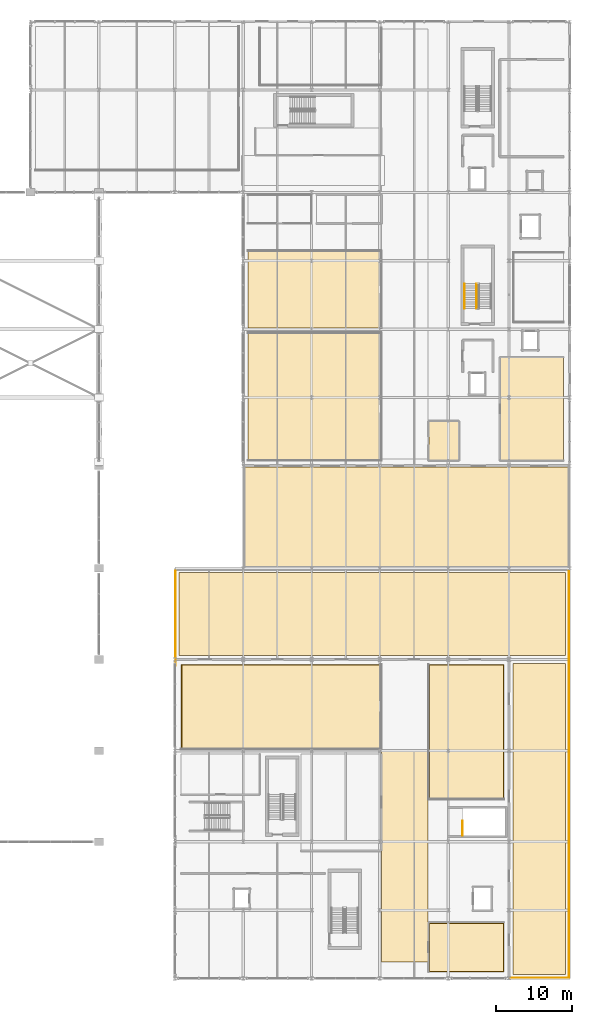
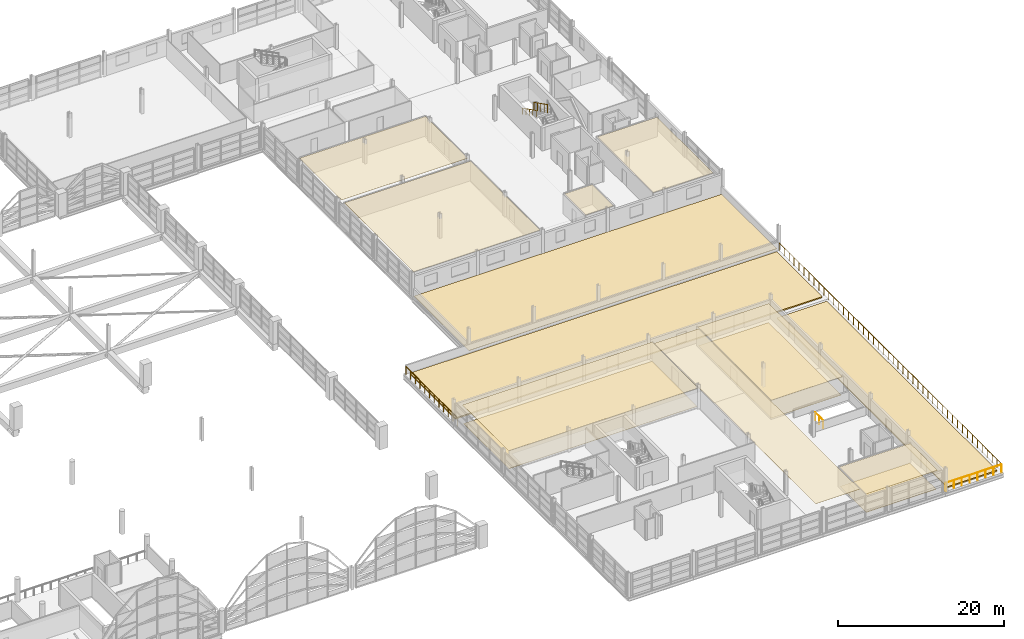
# One storey, part 111 of 116: 14 coverings, 6 railings.
"""IFC4 building model written with IfcOpenShell, lengths in metres."""

from ifc_helpers import new_model, si_unit, direction, frame, origin, origin_2d, place, context, subcontext, project, spatial, polyline, circle, outline, extrude, material, layer, layer_set, type_object, element, save


model = new_model("IFC4")

# Units and contexts
model_context = context("Model", 3, precision=1e-05, world=origin(), true_north=direction((0.0, 1.0)))
body_context = subcontext(model_context, "Body", "Model", "MODEL_VIEW")
ifc_project = project(units=[si_unit("LENGTHUNIT", "METRE"), si_unit("AREAUNIT", "SQUARE_METRE"), si_unit("VOLUMEUNIT", "CUBIC_METRE"), si_unit("PLANEANGLEUNIT", "RADIAN"), si_unit("MASSUNIT", "GRAM", prefix="KILO")], contexts=[model_context])

# Site, building, storey
site_placement = place(None, origin())
site = spatial("IfcSite", under=ifc_project, at=site_placement, CompositionType="ELEMENT")
building_placement = place(site_placement, origin())
building = spatial("IfcBuilding", under=site, at=building_placement, Name="Chuanluo Vaults Station", CompositionType="ELEMENT")
storey_placement = place(building_placement, frame((0.0, 0.0, 10.800048828125)))
storey = spatial("IfcBuildingStorey", under=building, at=storey_placement, Name="L02", CompositionType="ELEMENT", Elevation=10.800048828125)

# Coverings
ifc_material_1 = material(Name="Acoustic mineral-fibre tile")
ifc_layer_1 = layer(ifc_material_1, 0.02490234375)
ifc_layer_set_1 = layer_set([ifc_layer_1], Name="Acoustic mineral-fibre tile")
covering_type_1 = type_object("IfcCoveringType", Name="COV-CEIL-TILE", PredefinedType="CEILING", material=ifc_layer_set_1)
covering_1_placement = place(storey_placement, frame((0.0, 0.0, 2.71484375)))
element("IfcCovering", 1, at=covering_1_placement, inside=storey, type_object=covering_type_1, Name="L02-04A suspended acoustic ceiling", PredefinedType="CEILING", context=body_context, shape_type="SweptSolid", body=[
    extrude(outline(polyline([(163.239990234375, 2.199951171875), (169.360107421875, 2.199951171875), (169.360107421875, 41.0), (163.239990234375, 41.0), (163.239990234375, 2.199951171875)])), origin(), (0.0, 0.0, 1.0), 0.025146484375),
])
covering_2_placement = place(storey_placement, frame((0.0, 0.0, 2.71484375)))
element("IfcCovering", 2, at=covering_2_placement, inside=storey, type_object=covering_type_1, Name="L02-05 suspended acoustic ceiling", PredefinedType="CEILING", context=body_context, shape_type="SweptSolid", body=[
    extrude(outline(polyline([(136.840087890625, 30.239990234375), (163.159912109375, 30.239990234375), (163.159912109375, 41.360107421875), (136.840087890625, 41.360107421875), (136.840087890625, 30.239990234375)])), origin(), (0.0, 0.0, 1.0), 0.025146484375),
])
covering_3_placement = place(storey_placement, frame((0.0, 0.0, 2.71484375)))
element("IfcCovering", 3, at=covering_3_placement, inside=storey, type_object=covering_type_1, Name="L02-06 suspended acoustic ceiling", PredefinedType="CEILING", context=body_context, shape_type="SweptSolid", body=[
    extrude(outline(polyline([(169.43994140625, 23.639892578125), (179.360107421875, 23.639892578125), (179.360107421875, 41.360107421875), (169.43994140625, 41.360107421875), (169.43994140625, 23.639892578125)])), origin(), (0.0, 0.0, 1.0), 0.025146484375),
])
covering_4_placement = place(storey_placement, frame((0.0, 0.0, 2.804931640625)))
element("IfcCovering", 4, at=covering_4_placement, inside=storey, type_object=covering_type_1, Name="L02-09 suspended acoustic ceiling", PredefinedType="CEILING", context=body_context, shape_type="SweptSolid", body=[
    extrude(outline(polyline([(169.43994140625, 0.840087890625), (179.360107421875, 0.840087890625), (179.360107421875, 7.360107421875), (169.43994140625, 7.360107421875), (169.43994140625, 0.840087890625)])), origin(), (0.0, 0.0, 1.0), 0.02490234375),
])
covering_5_placement = place(storey_placement, frame((0.0, 0.0, 2.8349609375)))
element("IfcCovering", 5, at=covering_5_placement, inside=storey, type_object=covering_type_1, Name="L02-11 suspended acoustic ceiling", PredefinedType="CEILING", context=body_context, shape_type="SweptSolid", body=[
    extrude(outline(polyline([(145.639892578125, 68.239990234375), (163.159912109375, 68.239990234375), (163.159912109375, 84.9599609375), (145.639892578125, 84.9599609375), (145.639892578125, 68.239990234375)])), origin(), (0.0, 0.0, 1.0), 0.02490234375),
])
covering_6_placement = place(storey_placement, frame((0.0, 0.0, 2.8349609375)))
element("IfcCovering", 6, at=covering_6_placement, inside=storey, type_object=covering_type_1, Name="L02-12 suspended acoustic ceiling", PredefinedType="CEILING", context=body_context, shape_type="SweptSolid", body=[
    extrude(outline(polyline([(145.639892578125, 85.639892578125), (163.159912109375, 85.639892578125), (163.159912109375, 95.760009765625), (145.639892578125, 95.760009765625), (145.639892578125, 85.639892578125)])), origin(), (0.0, 0.0, 1.0), 0.02490234375),
])
covering_7_placement = place(storey_placement, frame((0.0, 0.0, 2.8349609375)))
element("IfcCovering", 7, at=covering_7_placement, inside=storey, type_object=covering_type_1, Name="L02-15 suspended acoustic ceiling", PredefinedType="CEILING", context=body_context, shape_type="SweptSolid", body=[
    extrude(outline(polyline([(169.43994140625, 68.239990234375), (173.360107421875, 68.239990234375), (173.360107421875, 73.360107421875), (169.43994140625, 73.360107421875), (169.43994140625, 68.239990234375)])), origin(), (0.0, 0.0, 1.0), 0.02490234375),
])
covering_8_placement = place(storey_placement, frame((0.0, 0.0, 2.81494140625)))
element("IfcCovering", 8, at=covering_8_placement, inside=storey, type_object=covering_type_1, Name="L02-23 suspended acoustic ceiling", PredefinedType="CEILING", context=body_context, shape_type="SweptSolid", body=[
    extrude(outline(polyline([(178.840087890625, 68.239990234375), (187.159912109375, 68.239990234375), (187.159912109375, 81.760009765625), (178.840087890625, 81.760009765625), (178.840087890625, 68.239990234375)])), origin(), (0.0, 0.0, 1.0), 0.02490234375),
])
ifc_material_2 = material(Name="Granite stone flooring", Category="masonry")
ifc_layer_2 = layer(ifc_material_2, 0.034912109375)
ifc_layer_set_2 = layer_set([ifc_layer_2], Name="Granite stone flooring")
covering_type_2 = type_object("IfcCoveringType", Name="COV-FLOR-GRAN", PredefinedType="FLOORING", material=ifc_layer_set_2)
covering_9_placement = place(storey_placement, origin())
element("IfcCovering", 9, at=covering_9_placement, inside=storey, type_object=covering_type_2, Name="L02-05 granite floor finish", PredefinedType="FLOORING", context=body_context, shape_type="SweptSolid", body=[
    extrude(outline(polyline([(136.949951171875, 30.35009765625), (163.050048828125, 30.35009765625), (163.050048828125, 41.25), (136.949951171875, 41.25), (136.949951171875, 30.35009765625)])), origin(), (0.0, 0.0, 1.0), 0.034912109375),
])
covering_10_placement = place(storey_placement, origin())
element("IfcCovering", 10, at=covering_10_placement, inside=storey, type_object=covering_type_2, Name="L02-06 granite floor finish", PredefinedType="FLOORING", context=body_context, shape_type="SweptSolid", body=[
    extrude(outline(polyline([(169.550048828125, 23.75), (179.25, 23.75), (179.25, 41.25), (169.550048828125, 41.25), (169.550048828125, 23.75)])), origin(), (0.0, 0.0, 1.0), 0.034912109375),
])
covering_11_placement = place(storey_placement, origin())
element("IfcCovering", 11, at=covering_11_placement, inside=storey, type_object=covering_type_2, Name="L02-09 granite floor finish", PredefinedType="FLOORING", context=body_context, shape_type="SweptSolid", body=[
    extrude(outline(polyline([(169.550048828125, 0.949951171875), (179.25, 0.949951171875), (179.25, 7.25), (169.550048828125, 7.25), (169.550048828125, 0.949951171875)])), origin(), (0.0, 0.0, 1.0), 0.034912109375),
])
ifc_material_3 = material(Name="Planted roof garden substrate")
ifc_layer_3 = layer(ifc_material_3, 0.179931640625)
ifc_layer_set_3 = layer_set([ifc_layer_3], Name="Planted roof garden substrate")
covering_type_3 = type_object("IfcCoveringType", Name="COV-ROOF-GRN", PredefinedType="ROOFING", material=ifc_layer_set_3)
covering_12_placement = place(storey_placement, origin())
element("IfcCovering", 12, at=covering_12_placement, inside=storey, type_object=covering_type_3, Name="Planted roof garden substrate TER:L02:N", PredefinedType="ROOFING", context=body_context, shape_type="SweptSolid", body=[
    extrude(outline(polyline([(136.550048828125, 42.550048828125), (187.449951171875, 42.550048828125), (187.449951171875, 53.449951171875), (136.550048828125, 53.449951171875), (136.550048828125, 42.550048828125)])), origin(), (0.0, 0.0, 1.0), 0.179931640625),
])
covering_13_placement = place(storey_placement, origin())
element("IfcCovering", 13, at=covering_13_placement, inside=storey, type_object=covering_type_3, Name="Planted roof garden substrate TER:L02:E", PredefinedType="ROOFING", context=body_context, shape_type="SweptSolid", body=[
    extrude(outline(polyline([(180.550048828125, 0.550048828125), (187.449951171875, 0.550048828125), (187.449951171875, 41.449951171875), (180.550048828125, 41.449951171875), (180.550048828125, 0.550048828125)])), origin(), (0.0, 0.0, 1.0), 0.179931640625),
])
ifc_material_4 = material(Name="TPO waterproof roofing membrane")
ifc_layer_4 = layer(ifc_material_4, 0.044921875)
ifc_layer_set_4 = layer_set([ifc_layer_4], Name="TPO waterproof roofing membrane")
covering_type_4 = type_object("IfcCoveringType", Name="COV-ROOF-TPO", PredefinedType="ROOFING", material=ifc_layer_set_4)
covering_14_placement = place(storey_placement, origin())
element("IfcCovering", 14, at=covering_14_placement, inside=storey, type_object=covering_type_4, Name="Waterproof TPO roof membrane ROOF:L02:OPSS", PredefinedType="ROOFING", context=body_context, shape_type="SweptSolid", body=[
    extrude(outline(polyline([(145.14990234375, 54.14990234375), (187.85009765625, 54.14990234375), (187.85009765625, 67.35009765625), (145.14990234375, 67.35009765625), (145.14990234375, 54.14990234375)])), origin(), (0.0, 0.0, 1.0), 0.044921875),
])

# Railings
ifc_material_5 = material(Name="Tempered laminated balustrade glass", Category="glass")
railing_type_1 = type_object("IfcRailingType", Name="RLG-GUARD-1200", PredefinedType="BALUSTRADE", material=ifc_material_5)
railing_1_placement = place(storey_placement, frame((136.10009765625, 41.199951171875, 0.0)))
element("IfcRailing", 15, at=railing_1_placement, inside=storey, type_object=railing_type_1, Name="Planted terrace perimeter balustrade TER-RET-L02", PredefinedType="BALUSTRADE", context=body_context, shape_type="SweptSolid", body=[
    extrude(circle(Radius=0.02392578125, at=origin_2d()), frame((0.0, 0.0, 1.17578125), z_axis=(0.0, 1.0, 0.0), x_axis=(-1.0, 0.0, 0.0)), (0.0, 0.0, 1.0), 12.449951171875),
    extrude(circle(Radius=0.02099609375, at=origin_2d()), origin(), (0.0, 0.0, 1.0), 1.15185546875),
    extrude(circle(Radius=0.02099609375, at=origin_2d()), frame((0.0, 1.1318359375, 0.0)), (0.0, 0.0, 1.0), 1.15185546875),
    extrude(circle(Radius=0.02099609375, at=origin_2d()), frame((0.0, 2.263671875, 0.0)), (0.0, 0.0, 1.0), 1.15185546875),
    extrude(circle(Radius=0.02099609375, at=origin_2d()), frame((0.0, 3.3955078125, 0.0)), (0.0, 0.0, 1.0), 1.15185546875),
    extrude(circle(Radius=0.02099609375, at=origin_2d()), frame((0.0, 4.52734375, 0.0)), (0.0, 0.0, 1.0), 1.15185546875),
    extrude(circle(Radius=0.02099609375, at=origin_2d()), frame((0.0, 5.6591796875, 0.0)), (0.0, 0.0, 1.0), 1.15185546875),
    extrude(circle(Radius=0.02099609375, at=origin_2d()), frame((0.0, 6.790771484375, 0.0)), (0.0, 0.0, 1.0), 1.15185546875),
    extrude(circle(Radius=0.02099609375, at=origin_2d()), frame((0.0, 7.922607421875, 0.0)), (0.0, 0.0, 1.0), 1.15185546875),
    extrude(circle(Radius=0.02099609375, at=origin_2d()), frame((0.0, 9.054443359375, 0.0)), (0.0, 0.0, 1.0), 1.15185546875),
    extrude(circle(Radius=0.02099609375, at=origin_2d()), frame((0.0, 10.186279296875, 0.0)), (0.0, 0.0, 1.0), 1.15185546875),
    extrude(circle(Radius=0.02099609375, at=origin_2d()), frame((0.0, 11.318115234375, 0.0)), (0.0, 0.0, 1.0), 1.15185546875),
    extrude(circle(Radius=0.02099609375, at=origin_2d()), frame((0.0, 12.449951171875, 0.0)), (0.0, 0.0, 1.0), 1.15185546875),
])
railing_2_placement = place(storey_placement, frame((187.89990234375, 53.64990234375, 0.0)))
element("IfcRailing", 16, at=railing_2_placement, inside=storey, type_object=railing_type_1, Name="Planted terrace perimeter balustrade TER-RET-L02-E1", PredefinedType="BALUSTRADE", context=body_context, shape_type="SweptSolid", body=[
    extrude(circle(Radius=0.02392578125, at=origin_2d()), frame((0.0, 0.0, 1.17578125), z_axis=(0.0, -1.0, 0.0), x_axis=(1.0, 0.0, 0.0)), (0.0, 0.0, 1.0), 53.5498046875),
    extrude(circle(Radius=0.02099609375, at=origin_2d()), origin(), (0.0, 0.0, 1.0), 1.15185546875),
    extrude(circle(Radius=0.02099609375, at=origin_2d()), frame((0.0, -1.18994140625, 0.0)), (0.0, 0.0, 1.0), 1.15185546875),
    extrude(circle(Radius=0.02099609375, at=origin_2d()), frame((0.0, -2.3798828125, 0.0)), (0.0, 0.0, 1.0), 1.15185546875),
    extrude(circle(Radius=0.02099609375, at=origin_2d()), frame((0.0, -3.570068359375, 0.0)), (0.0, 0.0, 1.0), 1.15185546875),
    extrude(circle(Radius=0.02099609375, at=origin_2d()), frame((0.0, -4.760009765625, 0.0)), (0.0, 0.0, 1.0), 1.15185546875),
    extrude(circle(Radius=0.02099609375, at=origin_2d()), frame((0.0, -5.949951171875, 0.0)), (0.0, 0.0, 1.0), 1.15185546875),
    extrude(circle(Radius=0.02099609375, at=origin_2d()), frame((0.0, -7.139892578125, 0.0)), (0.0, 0.0, 1.0), 1.15185546875),
    extrude(circle(Radius=0.02099609375, at=origin_2d()), frame((0.0, -8.330078125, 0.0)), (0.0, 0.0, 1.0), 1.15185546875),
    extrude(circle(Radius=0.02099609375, at=origin_2d()), frame((0.0, -9.52001953125, 0.0)), (0.0, 0.0, 1.0), 1.15185546875),
    extrude(circle(Radius=0.02099609375, at=origin_2d()), frame((0.0, -10.7099609375, 0.0)), (0.0, 0.0, 1.0), 1.15185546875),
    extrude(circle(Radius=0.02099609375, at=origin_2d()), frame((0.0, -11.89990234375, 0.0)), (0.0, 0.0, 1.0), 1.15185546875),
    extrude(circle(Radius=0.02099609375, at=origin_2d()), frame((0.0, -13.08984375, 0.0)), (0.0, 0.0, 1.0), 1.15185546875),
    extrude(circle(Radius=0.02099609375, at=origin_2d()), frame((0.0, -14.280029296875, 0.0)), (0.0, 0.0, 1.0), 1.15185546875),
    extrude(circle(Radius=0.02099609375, at=origin_2d()), frame((0.0, -15.469970703125, 0.0)), (0.0, 0.0, 1.0), 1.15185546875),
    extrude(circle(Radius=0.02099609375, at=origin_2d()), frame((0.0, -16.659912109375, 0.0)), (0.0, 0.0, 1.0), 1.15185546875),
    extrude(circle(Radius=0.02099609375, at=origin_2d()), frame((0.0, -17.849853515625, 0.0)), (0.0, 0.0, 1.0), 1.15185546875),
    extrude(circle(Radius=0.02099609375, at=origin_2d()), frame((0.0, -19.0400390625, 0.0)), (0.0, 0.0, 1.0), 1.15185546875),
    extrude(circle(Radius=0.02099609375, at=origin_2d()), frame((0.0, -20.22998046875, 0.0)), (0.0, 0.0, 1.0), 1.15185546875),
    extrude(circle(Radius=0.02099609375, at=origin_2d()), frame((0.0, -21.419921875, 0.0)), (0.0, 0.0, 1.0), 1.15185546875),
    extrude(circle(Radius=0.02099609375, at=origin_2d()), frame((0.0, -22.60986328125, 0.0)), (0.0, 0.0, 1.0), 1.15185546875),
    extrude(circle(Radius=0.02099609375, at=origin_2d()), frame((0.0, -23.7998046875, 0.0)), (0.0, 0.0, 1.0), 1.15185546875),
    extrude(circle(Radius=0.02099609375, at=origin_2d()), frame((0.0, -24.989990234375, 0.0)), (0.0, 0.0, 1.0), 1.15185546875),
    extrude(circle(Radius=0.02099609375, at=origin_2d()), frame((0.0, -26.179931640625, 0.0)), (0.0, 0.0, 1.0), 1.15185546875),
    extrude(circle(Radius=0.02099609375, at=origin_2d()), frame((0.0, -27.369873046875, 0.0)), (0.0, 0.0, 1.0), 1.15185546875),
    extrude(circle(Radius=0.02099609375, at=origin_2d()), frame((0.0, -28.559814453125, 0.0)), (0.0, 0.0, 1.0), 1.15185546875),
    extrude(circle(Radius=0.02099609375, at=origin_2d()), frame((0.0, -29.75, 0.0)), (0.0, 0.0, 1.0), 1.15185546875),
    extrude(circle(Radius=0.02099609375, at=origin_2d()), frame((0.0, -30.93994140625, 0.0)), (0.0, 0.0, 1.0), 1.15185546875),
    extrude(circle(Radius=0.02099609375, at=origin_2d()), frame((0.0, -32.1298828125, 0.0)), (0.0, 0.0, 1.0), 1.15185546875),
    extrude(circle(Radius=0.02099609375, at=origin_2d()), frame((0.0, -33.31982421875, 0.0)), (0.0, 0.0, 1.0), 1.15185546875),
    extrude(circle(Radius=0.02099609375, at=origin_2d()), frame((0.0, -34.509765625, 0.0)), (0.0, 0.0, 1.0), 1.15185546875),
    extrude(circle(Radius=0.02099609375, at=origin_2d()), frame((0.0, -35.699951171875, 0.0)), (0.0, 0.0, 1.0), 1.15185546875),
    extrude(circle(Radius=0.02099609375, at=origin_2d()), frame((0.0, -36.889892578125, 0.0)), (0.0, 0.0, 1.0), 1.15185546875),
    extrude(circle(Radius=0.02099609375, at=origin_2d()), frame((0.0, -38.079833984375, 0.0)), (0.0, 0.0, 1.0), 1.15185546875),
    extrude(circle(Radius=0.02099609375, at=origin_2d()), frame((0.0, -39.269775390625, 0.0)), (0.0, 0.0, 1.0), 1.15185546875),
    extrude(circle(Radius=0.02099609375, at=origin_2d()), frame((0.0, -40.4599609375, 0.0)), (0.0, 0.0, 1.0), 1.15185546875),
    extrude(circle(Radius=0.02099609375, at=origin_2d()), frame((0.0, -41.64990234375, 0.0)), (0.0, 0.0, 1.0), 1.15185546875),
    extrude(circle(Radius=0.02099609375, at=origin_2d()), frame((0.0, -42.83984375, 0.0)), (0.0, 0.0, 1.0), 1.15185546875),
    extrude(circle(Radius=0.02099609375, at=origin_2d()), frame((0.0, -44.02978515625, 0.0)), (0.0, 0.0, 1.0), 1.15185546875),
    extrude(circle(Radius=0.02099609375, at=origin_2d()), frame((0.0, -45.2197265625, 0.0)), (0.0, 0.0, 1.0), 1.15185546875),
    extrude(circle(Radius=0.02099609375, at=origin_2d()), frame((0.0, -46.409912109375, 0.0)), (0.0, 0.0, 1.0), 1.15185546875),
    extrude(circle(Radius=0.02099609375, at=origin_2d()), frame((0.0, -47.599853515625, 0.0)), (0.0, 0.0, 1.0), 1.15185546875),
    extrude(circle(Radius=0.02099609375, at=origin_2d()), frame((0.0, -48.789794921875, 0.0)), (0.0, 0.0, 1.0), 1.15185546875),
    extrude(circle(Radius=0.02099609375, at=origin_2d()), frame((0.0, -49.979736328125, 0.0)), (0.0, 0.0, 1.0), 1.15185546875),
    extrude(circle(Radius=0.02099609375, at=origin_2d()), frame((0.0, -51.169921875, 0.0)), (0.0, 0.0, 1.0), 1.15185546875),
    extrude(circle(Radius=0.02099609375, at=origin_2d()), frame((0.0, -52.35986328125, 0.0)), (0.0, 0.0, 1.0), 1.15185546875),
    extrude(circle(Radius=0.02099609375, at=origin_2d()), frame((0.0, -53.5498046875, 0.0)), (0.0, 0.0, 1.0), 1.15185546875),
])
railing_3_placement = place(storey_placement, frame((187.800048828125, 0.10009765625, 0.0)))
element("IfcRailing", 17, at=railing_3_placement, inside=storey, type_object=railing_type_1, Name="Planted terrace perimeter balustrade TER-RET-L02-E2", PredefinedType="BALUSTRADE", context=body_context, shape_type="SweptSolid", body=[
    extrude(circle(Radius=0.02392578125, at=origin_2d()), frame((0.0, 0.0, 1.17578125), z_axis=(-1.0, 0.0, 0.0), x_axis=(0.0, -1.0, 0.0)), (0.0, 0.0, 1.0), 7.699951171875),
    extrude(circle(Radius=0.02099609375, at=origin_2d()), origin(), (0.0, 0.0, 1.0), 1.15185546875),
    extrude(circle(Radius=0.02099609375, at=origin_2d()), frame((-1.10009765625, 0.0, 0.0)), (0.0, 0.0, 1.0), 1.15185546875),
    extrude(circle(Radius=0.02099609375, at=origin_2d()), frame((-2.199951171875, 0.0, 0.0)), (0.0, 0.0, 1.0), 1.15185546875),
    extrude(circle(Radius=0.02099609375, at=origin_2d()), frame((-3.300048828125, 0.0, 0.0)), (0.0, 0.0, 1.0), 1.15185546875),
    extrude(circle(Radius=0.02099609375, at=origin_2d()), frame((-4.39990234375, 0.0, 0.0)), (0.0, 0.0, 1.0), 1.15185546875),
    extrude(circle(Radius=0.02099609375, at=origin_2d()), frame((-5.5, 0.0, 0.0)), (0.0, 0.0, 1.0), 1.15185546875),
    extrude(circle(Radius=0.02099609375, at=origin_2d()), frame((-6.599853515625, 0.0, 0.0)), (0.0, 0.0, 1.0), 1.15185546875),
    extrude(circle(Radius=0.02099609375, at=origin_2d()), frame((-7.699951171875, 0.0, 0.0)), (0.0, 0.0, 1.0), 1.15185546875),
])
railing_4_placement = place(storey_placement, frame((175.702392578125, 91.487548828125, 1.949951171875)))
element("IfcRailing", 18, at=railing_4_placement, inside=storey, type_object=railing_type_1, Name="L02 ST-01 stair guard 3", PredefinedType="BALUSTRADE", context=body_context, shape_type="SweptSolid", body=[
    extrude(circle(Radius=0.02392578125, at=origin_2d()), frame((0.0, 0.0, 1.17578125), z_axis=(0.0, -0.894440424912, 0.447187126696), x_axis=(1.0, 0.0, 0.0)), (0.0, 0.0, 1.0), 3.689453125),
    extrude(circle(Radius=0.02099609375, at=origin_2d()), origin(), (0.0, 0.0, 1.0), 1.15185546875),
    extrude(circle(Radius=0.02099609375, at=origin_2d()), frame((0.0, -0.824951171875, 0.41259765625)), (0.0, 0.0, 1.0), 1.15185546875),
    extrude(circle(Radius=0.02099609375, at=origin_2d()), frame((0.0, -1.64990234375, 0.824951171875)), (0.0, 0.0, 1.0), 1.15185546875),
    extrude(circle(Radius=0.02099609375, at=origin_2d()), frame((0.0, -2.47509765625, 1.2373046875)), (0.0, 0.0, 1.0), 1.15185546875),
    extrude(circle(Radius=0.02099609375, at=origin_2d()), frame((0.0, -3.300048828125, 1.64990234375)), (0.0, 0.0, 1.0), 1.15185546875),
])
railing_5_placement = place(storey_placement, frame((173.887451171875, 18.8125, 0.0)))
element("IfcRailing", 19, at=railing_5_placement, inside=storey, type_object=railing_type_1, Name="L02 ST-27 top well guard 1", PredefinedType="BALUSTRADE", context=body_context, shape_type="SweptSolid", body=[
    extrude(circle(Radius=0.02392578125, at=origin_2d()), frame((0.0, 0.0, 1.17578125), z_axis=(0.0, 1.0, 0.0), x_axis=(-1.0, 0.0, 0.0)), (0.0, 0.0, 1.0), 1.93505859375),
    extrude(circle(Radius=0.02099609375, at=origin_2d()), origin(), (0.0, 0.0, 1.0), 1.15185546875),
    extrude(circle(Radius=0.02099609375, at=origin_2d()), frame((0.0, 0.967529296875, 0.0)), (0.0, 0.0, 1.0), 1.15185546875),
    extrude(circle(Radius=0.02099609375, at=origin_2d()), frame((0.0, 1.93505859375, 0.0)), (0.0, 0.0, 1.0), 1.15185546875),
])
ifc_material_6 = material(Name="Brushed stainless steel 304", Category="steel")
railing_type_2 = type_object("IfcRailingType", Name="RLG-HAND-900", PredefinedType="HANDRAIL", material=ifc_material_6)
railing_6_placement = place(storey_placement, frame((174.117431640625, 91.487548828125, 1.949951171875)))
element("IfcRailing", 20, at=railing_6_placement, inside=storey, type_object=railing_type_2, Name="L02 ST-01 stair handrail 2", PredefinedType="HANDRAIL", context=body_context, shape_type="SweptSolid", body=[
    extrude(circle(Radius=0.02392578125, at=origin_2d()), frame((0.0, 0.0, 0.8759765625), z_axis=(0.0, -0.894440424912, 0.447187126696), x_axis=(1.0, 0.0, 0.0)), (0.0, 0.0, 1.0), 3.689453125),
    extrude(circle(Radius=0.02099609375, at=origin_2d()), origin(), (0.0, 0.0, 1.0), 0.851806640625),
    extrude(circle(Radius=0.02099609375, at=origin_2d()), frame((0.0, -0.824951171875, 0.41259765625)), (0.0, 0.0, 1.0), 0.851806640625),
    extrude(circle(Radius=0.02099609375, at=origin_2d()), frame((0.0, -1.64990234375, 0.824951171875)), (0.0, 0.0, 1.0), 0.851806640625),
    extrude(circle(Radius=0.02099609375, at=origin_2d()), frame((0.0, -2.47509765625, 1.2373046875)), (0.0, 0.0, 1.0), 0.851806640625),
    extrude(circle(Radius=0.02099609375, at=origin_2d()), frame((0.0, -3.300048828125, 1.64990234375)), (0.0, 0.0, 1.0), 0.851806640625),
])

save(model, "model.ifc")
